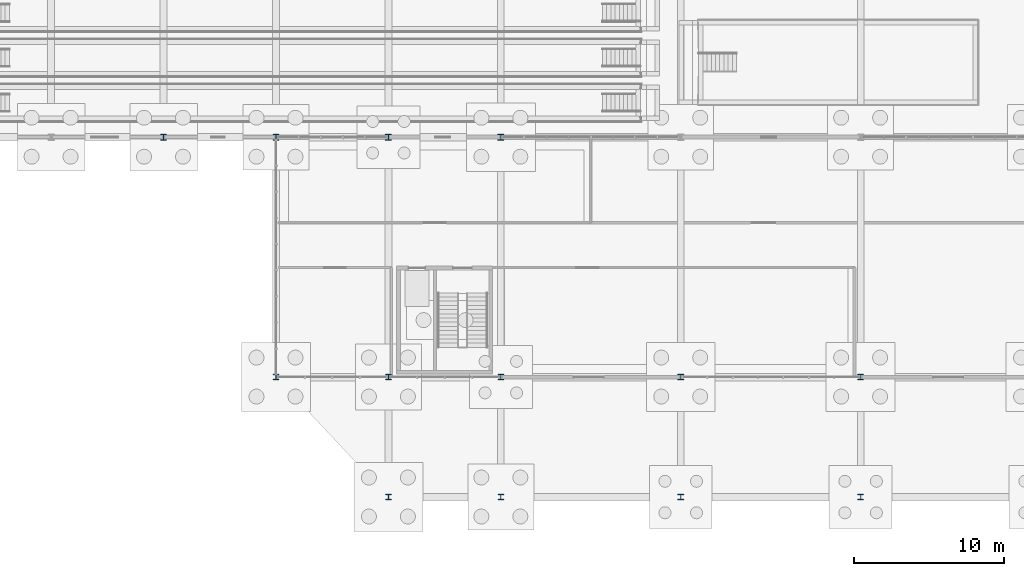
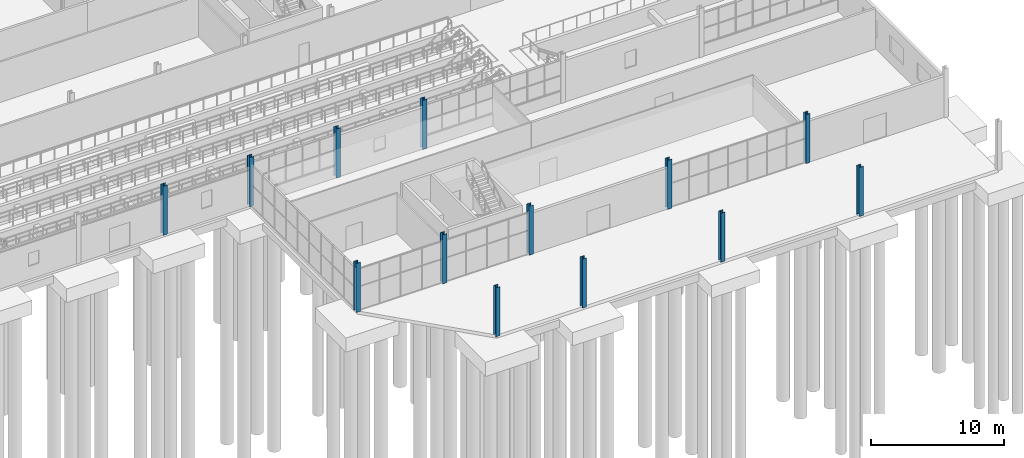
# One storey, part 21 of 136: 13 columns.
"""IFC4 building model written with IfcOpenShell, lengths in metres."""

from ifc_helpers import new_model, si_unit, direction, frame, origin, origin_2d, place, context, subcontext, project, spatial, i_section, extrude, material, material_profile, profile_set, type_object, element, save


model = new_model("IFC4")

# Units and contexts
model_context = context("Model", 3, precision=1e-05, world=origin(), true_north=direction((0.0, 1.0)))
body_context = subcontext(model_context, "Body", "Model", "MODEL_VIEW")
ifc_project = project(units=[si_unit("LENGTHUNIT", "METRE"), si_unit("AREAUNIT", "SQUARE_METRE"), si_unit("VOLUMEUNIT", "CUBIC_METRE"), si_unit("PLANEANGLEUNIT", "RADIAN"), si_unit("MASSUNIT", "GRAM", prefix="KILO")], contexts=[model_context])

# Site, building, storey
site_placement = place(None, origin())
site = spatial("IfcSite", under=ifc_project, at=site_placement, CompositionType="ELEMENT")
building_placement = place(site_placement, origin())
building = spatial("IfcBuilding", under=site, at=building_placement, Name="Solvenia Promenade Tram Depot", CompositionType="ELEMENT")
storey_placement = place(building_placement, origin())
storey = spatial("IfcBuildingStorey", under=building, at=storey_placement, Name="L00", CompositionType="ELEMENT", Elevation=0.0)

# Columns
ifc_material = material(Name="Structural steel ASTM A992 Gr. 50", Category="steel")
ifc_material_profile_1 = material_profile(ifc_material, i_section(OverallWidth=0.373046875, OverallDepth=0.367919921875, WebThickness=0.014892578125, FlangeThickness=0.02392578125, FilletRadius=0.014892578125, at=origin_2d()), Name="W360x179", Category="steel")
ifc_profile_set_1 = profile_set([ifc_material_profile_1], Name="Structural steel ASTM A992 Gr. 50")
column_type_1 = type_object("IfcColumnType", Name="Col-W360x179", PredefinedType="COLUMN", material=ifc_profile_set_1)
for number, where, z_axis, x_axis, name in (
    (1, (135.0, 8.0, 0.0), (0.0, 0.0, 1.0), (1.0, 0.0, 0.0), "Steel Column COL-L00-262"),
    (2, (142.5, 0.0, 0.0), (0.0, 0.0, 1.0), (1.0, 0.0, 0.0), "Steel Column COL-L00-282"),
    (3, (142.5, 8.0, 0.0), (0.0, 0.0, 1.0), (1.0, 0.0, 0.0), "Steel Column COL-L00-283"),
    (4, (150.0, 0.0, 0.0), (0.0, 0.0, 1.0), (1.0, 0.0, 0.0), "Steel Column COL-L00-303"),
    (5, (150.0, 8.0, 0.0), (0.0, 0.0, 1.0), (1.0, 0.0, 0.0), "Steel Column COL-L00-304"),
    (6, (162.0, 0.0, 0.0), (0.0, 0.0, 1.0), (1.0, 0.0, 0.0), "Steel Column COL-L00-324"),
    (7, (162.0, 8.0, 0.0), (0.0, 0.0, 1.0), (1.0, 0.0, 0.0), "Steel Column COL-L00-325"),
    (8, (174.0, 0.0, 0.0), (0.0, 0.0, 1.0), (1.0, 0.0, 0.0), "Steel Column COL-L00-342"),
    (9, (174.0, 8.0, 0.0), (0.0, 0.0, 1.0), (1.0, 0.0, 0.0), "Steel Column COL-L00-343"),
):
    element("IfcColumn", number, at=place(storey_placement, frame(where, z_axis=z_axis, x_axis=x_axis)), inside=storey, type_object=column_type_1, Name=name, PredefinedType="COLUMN", context=body_context, shape_type="SweptSolid", body=[
        extrude(i_section(OverallWidth=0.373046875, OverallDepth=0.367919921875, WebThickness=0.014892578125, FlangeThickness=0.02392578125, FilletRadius=0.014892578125, at=origin_2d()), origin(), (0.0, 0.0, 1.0), 4.5),
    ])
ifc_material_profile_2 = material_profile(ifc_material, i_section(OverallWidth=0.39404296875, OverallDepth=0.375, WebThickness=0.0205078125, FlangeThickness=0.033203125, FilletRadius=0.01806640625, at=origin_2d()), Name="W360x216", Category="steel")
ifc_profile_set_2 = profile_set([ifc_material_profile_2], Name="Structural steel ASTM A992 Gr. 50")
column_type_2 = type_object("IfcColumnType", Name="Col-W360x216", PredefinedType="COLUMN", material=ifc_profile_set_2)
for number, where, z_axis, x_axis, name in (
    (10, (127.5, 24.0, 0.0), (0.0, 0.0, 1.0), (1.0, 0.0, 0.0), "Steel Column COL-L00-244"),
    (11, (135.0, 24.0, 0.0), (0.0, 0.0, 1.0), (1.0, 0.0, 0.0), "Steel Column COL-L00-264"),
    (12, (142.5, 24.0, 0.0), (0.0, 0.0, 1.0), (1.0, 0.0, 0.0), "Steel Column COL-L00-285"),
    (13, (150.0, 24.0, 0.0), (0.0, 0.0, 1.0), (1.0, 0.0, 0.0), "Steel Column COL-L00-306"),
):
    element("IfcColumn", number, at=place(storey_placement, frame(where, z_axis=z_axis, x_axis=x_axis)), inside=storey, type_object=column_type_2, Name=name, PredefinedType="COLUMN", context=body_context, shape_type="SweptSolid", body=[
        extrude(i_section(OverallWidth=0.39404296875, OverallDepth=0.375, WebThickness=0.0205078125, FlangeThickness=0.033203125, FilletRadius=0.01806640625, at=origin_2d()), origin(), (0.0, 0.0, 1.0), 4.5),
    ])

save(model, "model.ifc")
